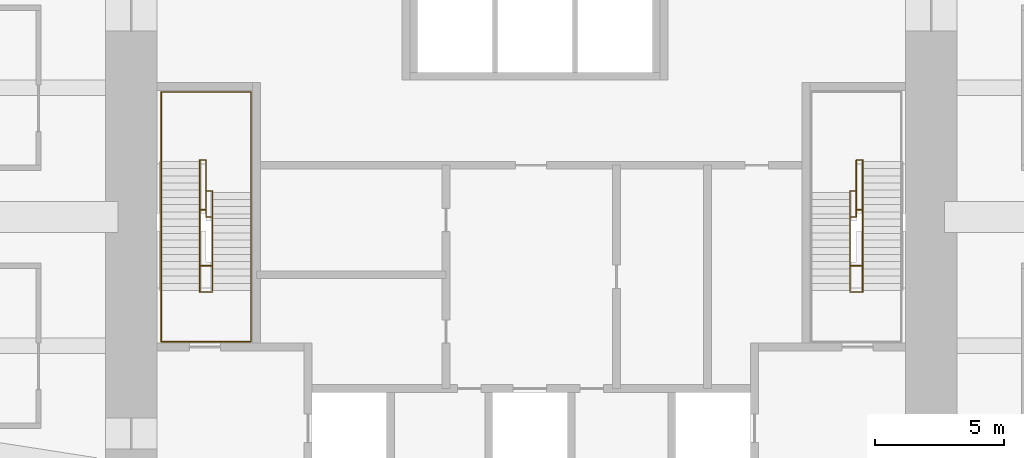
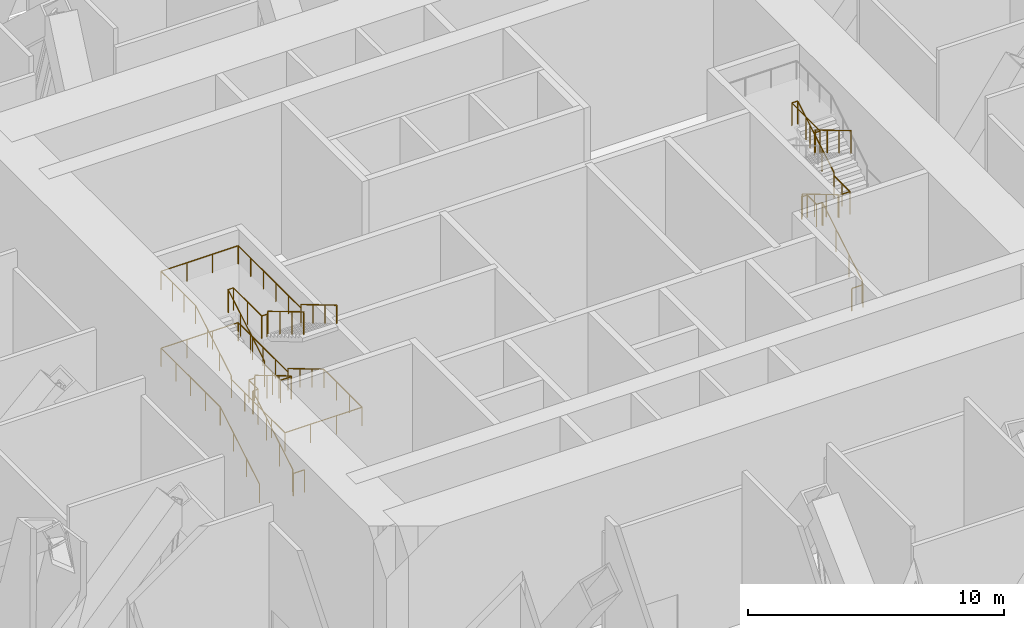
# One storey, part 19 of 20: 3 railings.
"""IFC4 building model written with IfcOpenShell, lengths in metres."""

from ifc_helpers import new_model, si_unit, direction, frame, origin, origin_2d, place, context, subcontext, project, spatial, circle, extrude, material, type_object, element, save


model = new_model("IFC4")

# Units and contexts
model_context = context("Model", 3, precision=1e-05, world=origin(), true_north=direction((0.0, 1.0)))
body_context = subcontext(model_context, "Body", "Model", "MODEL_VIEW")
ifc_project = project(units=[si_unit("LENGTHUNIT", "METRE"), si_unit("AREAUNIT", "SQUARE_METRE"), si_unit("VOLUMEUNIT", "CUBIC_METRE"), si_unit("PLANEANGLEUNIT", "RADIAN"), si_unit("MASSUNIT", "GRAM", prefix="KILO")], contexts=[model_context])

# Site, building, storey
site_placement = place(None, origin())
site = spatial("IfcSite", under=ifc_project, at=site_placement, CompositionType="ELEMENT")
building_placement = place(site_placement, origin())
building = spatial("IfcBuilding", under=site, at=building_placement, Name="Khuree Lantern Residences", CompositionType="ELEMENT")
storey_placement = place(building_placement, frame((0.0, 0.0, 99.75)))
storey = spatial("IfcBuildingStorey", under=building, at=storey_placement, Name="L25", CompositionType="ELEMENT", Elevation=99.75)

# Railings
ifc_material = material(Name="Steel S355", Category="steel")
railing_type_1 = type_object("IfcRailingType", Name="STAIR GUARD G1 1100", PredefinedType="GUARDRAIL", material=ifc_material)
railing_1_placement = place(storey_placement, frame((-12.35009765625, -2.909912109375, 0.0)))
element("IfcRailing", 1, at=railing_1_placement, inside=storey, type_object=railing_type_1, Name="Stair ST1 guard", PredefinedType="GUARDRAIL", context=body_context, shape_type="SweptSolid", body=[
    extrude(circle(Radius=0.02392578125, at=origin_2d()), frame((0.0, 0.0, 1.076171875), z_axis=(-1.0, 0.0, 0.0), x_axis=(0.0, -1.0, 0.0)), (0.0, 0.0, 1.0), 0.5),
    extrude(circle(Radius=0.02392578125, at=origin_2d()), frame((-0.5, 0.0, 1.076171875), z_axis=(0.0, 0.286189326841, 0.958173089375), x_axis=(-1.0, 0.0, 0.0)), (0.0, 0.0, 1.0), 0.174072265625),
    extrude(circle(Radius=0.02392578125, at=origin_2d()), frame((-0.5, 0.0498046875, 1.24267578125), z_axis=(0.0, 0.859308565015, 0.511457515432), x_axis=(-1.0, 0.0, 0.0)), (0.0, 0.0, 1.0), 3.58447265625),
    extrude(circle(Radius=0.02392578125, at=origin_2d()), frame((-0.5, 3.1298828125, 3.076171875), z_axis=(0.0, 1.0, 0.0), x_axis=(-1.0, 0.0, 0.0)), (0.0, 0.0, 1.0), 0.050048828125),
    extrude(circle(Radius=0.02392578125, at=origin_2d()), frame((-0.5, 3.179931640625, 3.076171875), z_axis=(1.0, 0.0, 0.0), x_axis=(0.0, 1.0, 0.0)), (0.0, 0.0, 1.0), 0.25),
    extrude(circle(Radius=0.02392578125, at=origin_2d()), frame((-0.25, 3.179931640625, 3.076171875), z_axis=(0.0, 1.0, 0.0), x_axis=(-1.0, 0.0, 0.0)), (0.0, 0.0, 1.0), 0.72998046875),
    extrude(circle(Radius=0.02392578125, at=origin_2d()), frame((-0.25, 3.909912109375, 3.076171875), z_axis=(1.0, 0.0, 0.0), x_axis=(0.0, 1.0, 0.0)), (0.0, 0.0, 1.0), 0.25),
    extrude(circle(Radius=0.02392578125, at=origin_2d()), frame((0.0, 3.909912109375, 3.076171875), z_axis=(0.0, -0.287476536604, 0.957787680492), x_axis=(1.0, 0.0, 0.0)), (0.0, 0.0, 1.0), 0.174072265625),
    extrude(circle(Radius=0.02392578125, at=origin_2d()), frame((0.0, 3.85986328125, 3.24267578125), z_axis=(0.0, -0.859318757487, 0.511440390497), x_axis=(1.0, 0.0, 0.0)), (0.0, 0.0, 1.0), 3.258544921875),
    extrude(circle(Radius=0.02392578125, at=origin_2d()), frame((0.0, 1.059814453125, 4.9091796875), z_axis=(0.0, -1.0, 0.0), x_axis=(1.0, 0.0, 0.0)), (0.0, 0.0, 1.0), 0.0498046875),
    extrude(circle(Radius=0.02392578125, at=origin_2d()), frame((0.0, 1.010009765625, 4.9091796875), z_axis=(-1.0, 0.0, 0.0), x_axis=(0.0, -1.0, 0.0)), (0.0, 0.0, 1.0), 0.5),
    extrude(circle(Radius=0.02392578125, at=origin_2d()), frame((-0.5, 1.010009765625, 4.9091796875), z_axis=(0.0, 1.0, 0.0), x_axis=(-1.0, 0.0, 0.0)), (0.0, 0.0, 1.0), 1.25),
    extrude(circle(Radius=0.02392578125, at=origin_2d()), frame((-0.5, 2.260009765625, 4.9091796875), z_axis=(0.0, 0.0, 1.0), x_axis=(1.0, 0.0, 0.0)), (0.0, 0.0, 1.0), 0.166748046875),
    extrude(circle(Radius=0.02392578125, at=origin_2d()), frame((-0.5, 2.260009765625, 5.076171875), z_axis=(0.0, 0.859266224305, 0.511528646088), x_axis=(-1.0, 0.0, 0.0)), (0.0, 0.0, 1.0), 3.25830078125),
    extrude(circle(Radius=0.02392578125, at=origin_2d()), frame((-0.5, 5.059814453125, 6.74267578125), z_axis=(0.0, 1.0, 0.0), x_axis=(-1.0, 0.0, 0.0)), (0.0, 0.0, 1.0), 0.050048828125),
    extrude(circle(Radius=0.02392578125, at=origin_2d()), frame((-0.5, 5.10986328125, 6.74267578125), z_axis=(1.0, 0.0, 0.0), x_axis=(0.0, 1.0, 0.0)), (0.0, 0.0, 1.0), 0.25),
    extrude(circle(Radius=0.02392578125, at=origin_2d()), frame((-0.25, 5.10986328125, 6.74267578125), z_axis=(0.0, -1.0, 0.0), x_axis=(1.0, 0.0, 0.0)), (0.0, 0.0, 1.0), 2.2099609375),
    extrude(circle(Radius=0.02392578125, at=origin_2d()), frame((-0.25, 2.89990234375, 6.74267578125), z_axis=(1.0, 0.0, 0.0), x_axis=(0.0, 1.0, 0.0)), (0.0, 0.0, 1.0), 0.25),
    extrude(circle(Radius=0.02392578125, at=origin_2d()), frame((0.0, 2.89990234375, 6.74267578125), z_axis=(0.0, -0.287863150583, 0.957671554624), x_axis=(1.0, 0.0, 0.0)), (0.0, 0.0, 1.0), 0.173828125),
    extrude(circle(Radius=0.02392578125, at=origin_2d()), frame((0.0, 2.849853515625, 6.9091796875), z_axis=(0.0, -0.859285828005, 0.511495714342), x_axis=(1.0, 0.0, 0.0)), (0.0, 0.0, 1.0), 3.258544921875),
    extrude(circle(Radius=0.02099609375, at=origin_2d()), origin(), (0.0, 0.0, 1.0), 1.052001953125),
    extrude(circle(Radius=0.02099609375, at=origin_2d()), frame((-0.5, 0.0, 0.0)), (0.0, 0.0, 1.0), 1.052001953125),
    extrude(circle(Radius=0.02099609375, at=origin_2d()), frame((-0.5, 0.0498046875, 0.166748046875)), (0.0, 0.0, 1.0), 1.052001953125),
    extrude(circle(Radius=0.02099609375, at=origin_2d()), frame((-0.5, 1.076416015625, 0.77783203125)), (0.0, 0.0, 1.0), 1.052001953125),
    extrude(circle(Radius=0.02099609375, at=origin_2d()), frame((-0.5, 2.103271484375, 1.388916015625)), (0.0, 0.0, 1.0), 1.052001953125),
    extrude(circle(Radius=0.02099609375, at=origin_2d()), frame((-0.5, 3.1298828125, 2.0)), (0.0, 0.0, 1.0), 1.052001953125),
    extrude(circle(Radius=0.02099609375, at=origin_2d()), frame((-0.5, 3.179931640625, 2.0)), (0.0, 0.0, 1.0), 1.052001953125),
    extrude(circle(Radius=0.02099609375, at=origin_2d()), frame((-0.25, 3.179931640625, 2.0)), (0.0, 0.0, 1.0), 1.052001953125),
    extrude(circle(Radius=0.02099609375, at=origin_2d()), frame((-0.25, 3.909912109375, 2.0)), (0.0, 0.0, 1.0), 1.052001953125),
    extrude(circle(Radius=0.02099609375, at=origin_2d()), frame((0.0, 3.909912109375, 2.0)), (0.0, 0.0, 1.0), 1.052001953125),
    extrude(circle(Radius=0.02099609375, at=origin_2d()), frame((0.0, 3.85986328125, 2.166748046875)), (0.0, 0.0, 1.0), 1.052001953125),
    extrude(circle(Radius=0.02099609375, at=origin_2d()), frame((0.0, 2.926513671875, 2.72216796875)), (0.0, 0.0, 1.0), 1.052001953125),
    extrude(circle(Radius=0.02099609375, at=origin_2d()), frame((0.0, 1.9931640625, 3.27783203125)), (0.0, 0.0, 1.0), 1.052001953125),
    extrude(circle(Radius=0.02099609375, at=origin_2d()), frame((0.0, 1.059814453125, 3.833251953125)), (0.0, 0.0, 1.0), 1.052001953125),
    extrude(circle(Radius=0.02099609375, at=origin_2d()), frame((0.0, 1.010009765625, 3.833251953125)), (0.0, 0.0, 1.0), 1.052001953125),
    extrude(circle(Radius=0.02099609375, at=origin_2d()), frame((-0.5, 1.010009765625, 3.833251953125)), (0.0, 0.0, 1.0), 1.052001953125),
    extrude(circle(Radius=0.02099609375, at=origin_2d()), frame((-0.5, 1.635009765625, 3.833251953125)), (0.0, 0.0, 1.0), 1.052001953125),
    extrude(circle(Radius=0.02099609375, at=origin_2d()), frame((-0.5, 2.260009765625, 3.833251953125)), (0.0, 0.0, 1.0), 1.052001953125),
    extrude(circle(Radius=0.02099609375, at=origin_2d()), frame((-0.5, 2.260009765625, 4.0)), (0.0, 0.0, 1.0), 1.052001953125),
    extrude(circle(Radius=0.02099609375, at=origin_2d()), frame((-0.5, 3.193359375, 4.5556640625)), (0.0, 0.0, 1.0), 1.052001953125),
    extrude(circle(Radius=0.02099609375, at=origin_2d()), frame((-0.5, 4.12646484375, 5.111083984375)), (0.0, 0.0, 1.0), 1.052001953125),
    extrude(circle(Radius=0.02099609375, at=origin_2d()), frame((-0.5, 5.059814453125, 5.666748046875)), (0.0, 0.0, 1.0), 1.052001953125),
    extrude(circle(Radius=0.02099609375, at=origin_2d()), frame((-0.5, 5.10986328125, 5.666748046875)), (0.0, 0.0, 1.0), 1.052001953125),
    extrude(circle(Radius=0.02099609375, at=origin_2d()), frame((-0.25, 5.10986328125, 5.666748046875)), (0.0, 0.0, 1.0), 1.052001953125),
    extrude(circle(Radius=0.02099609375, at=origin_2d()), frame((-0.25, 4.0048828125, 5.666748046875)), (0.0, 0.0, 1.0), 1.052001953125),
    extrude(circle(Radius=0.02099609375, at=origin_2d()), frame((-0.25, 2.89990234375, 5.666748046875)), (0.0, 0.0, 1.0), 1.052001953125),
    extrude(circle(Radius=0.02099609375, at=origin_2d()), frame((0.0, 2.89990234375, 5.666748046875)), (0.0, 0.0, 1.0), 1.052001953125),
    extrude(circle(Radius=0.02099609375, at=origin_2d()), frame((0.0, 2.849853515625, 5.833251953125)), (0.0, 0.0, 1.0), 1.052001953125),
    extrude(circle(Radius=0.02099609375, at=origin_2d()), frame((0.0, 1.91650390625, 6.388916015625)), (0.0, 0.0, 1.0), 1.052001953125),
    extrude(circle(Radius=0.02099609375, at=origin_2d()), frame((0.0, 0.983154296875, 6.9443359375)), (0.0, 0.0, 1.0), 1.052001953125),
    extrude(circle(Radius=0.02099609375, at=origin_2d()), frame((0.0, 0.0498046875, 7.5)), (0.0, 0.0, 1.0), 1.052001953125),
])
railing_2_placement = place(storey_placement, frame((12.35009765625, -2.909912109375, 0.0)))
element("IfcRailing", 2, at=railing_2_placement, inside=storey, type_object=railing_type_1, Name="Stair ST2 guard", PredefinedType="GUARDRAIL", context=body_context, shape_type="SweptSolid", body=[
    extrude(circle(Radius=0.02392578125, at=origin_2d()), frame((0.0, 0.0, 1.076171875), z_axis=(1.0, 0.0, 0.0), x_axis=(0.0, 1.0, 0.0)), (0.0, 0.0, 1.0), 0.5),
    extrude(circle(Radius=0.02392578125, at=origin_2d()), frame((0.5, 0.0, 1.076171875), z_axis=(0.0, 0.286189326841, 0.958173089375), x_axis=(-1.0, 0.0, 0.0)), (0.0, 0.0, 1.0), 0.174072265625),
    extrude(circle(Radius=0.02392578125, at=origin_2d()), frame((0.5, 0.0498046875, 1.24267578125), z_axis=(0.0, 0.859308565015, 0.511457515432), x_axis=(-1.0, 0.0, 0.0)), (0.0, 0.0, 1.0), 3.58447265625),
    extrude(circle(Radius=0.02392578125, at=origin_2d()), frame((0.5, 3.1298828125, 3.076171875), z_axis=(0.0, 1.0, 0.0), x_axis=(-1.0, 0.0, 0.0)), (0.0, 0.0, 1.0), 0.050048828125),
    extrude(circle(Radius=0.02392578125, at=origin_2d()), frame((0.5, 3.179931640625, 3.076171875), z_axis=(-1.0, 0.0, 0.0), x_axis=(0.0, -1.0, 0.0)), (0.0, 0.0, 1.0), 0.25),
    extrude(circle(Radius=0.02392578125, at=origin_2d()), frame((0.25, 3.179931640625, 3.076171875), z_axis=(0.0, 1.0, 0.0), x_axis=(-1.0, 0.0, 0.0)), (0.0, 0.0, 1.0), 0.72998046875),
    extrude(circle(Radius=0.02392578125, at=origin_2d()), frame((0.25, 3.909912109375, 3.076171875), z_axis=(-1.0, 0.0, 0.0), x_axis=(0.0, -1.0, 0.0)), (0.0, 0.0, 1.0), 0.25),
    extrude(circle(Radius=0.02392578125, at=origin_2d()), frame((0.0, 3.909912109375, 3.076171875), z_axis=(0.0, -0.287476536604, 0.957787680492), x_axis=(1.0, 0.0, 0.0)), (0.0, 0.0, 1.0), 0.174072265625),
    extrude(circle(Radius=0.02392578125, at=origin_2d()), frame((0.0, 3.85986328125, 3.24267578125), z_axis=(0.0, -0.859318757487, 0.511440390497), x_axis=(1.0, 0.0, 0.0)), (0.0, 0.0, 1.0), 3.258544921875),
    extrude(circle(Radius=0.02392578125, at=origin_2d()), frame((0.0, 1.059814453125, 4.9091796875), z_axis=(0.0, -1.0, 0.0), x_axis=(1.0, 0.0, 0.0)), (0.0, 0.0, 1.0), 0.0498046875),
    extrude(circle(Radius=0.02392578125, at=origin_2d()), frame((0.0, 1.010009765625, 4.9091796875), z_axis=(1.0, 0.0, 0.0), x_axis=(0.0, 1.0, 0.0)), (0.0, 0.0, 1.0), 0.5),
    extrude(circle(Radius=0.02392578125, at=origin_2d()), frame((0.5, 1.010009765625, 4.9091796875), z_axis=(0.0, 1.0, 0.0), x_axis=(-1.0, 0.0, 0.0)), (0.0, 0.0, 1.0), 1.25),
    extrude(circle(Radius=0.02392578125, at=origin_2d()), frame((0.5, 2.260009765625, 4.9091796875), z_axis=(0.0, 0.0, 1.0), x_axis=(1.0, 0.0, 0.0)), (0.0, 0.0, 1.0), 0.166748046875),
    extrude(circle(Radius=0.02392578125, at=origin_2d()), frame((0.5, 2.260009765625, 5.076171875), z_axis=(0.0, 0.859266224305, 0.511528646088), x_axis=(-1.0, 0.0, 0.0)), (0.0, 0.0, 1.0), 3.25830078125),
    extrude(circle(Radius=0.02392578125, at=origin_2d()), frame((0.5, 5.059814453125, 6.74267578125), z_axis=(0.0, 1.0, 0.0), x_axis=(-1.0, 0.0, 0.0)), (0.0, 0.0, 1.0), 0.050048828125),
    extrude(circle(Radius=0.02392578125, at=origin_2d()), frame((0.5, 5.10986328125, 6.74267578125), z_axis=(-1.0, 0.0, 0.0), x_axis=(0.0, -1.0, 0.0)), (0.0, 0.0, 1.0), 0.25),
    extrude(circle(Radius=0.02392578125, at=origin_2d()), frame((0.25, 5.10986328125, 6.74267578125), z_axis=(0.0, -1.0, 0.0), x_axis=(1.0, 0.0, 0.0)), (0.0, 0.0, 1.0), 2.2099609375),
    extrude(circle(Radius=0.02392578125, at=origin_2d()), frame((0.25, 2.89990234375, 6.74267578125), z_axis=(-1.0, 0.0, 0.0), x_axis=(0.0, -1.0, 0.0)), (0.0, 0.0, 1.0), 0.25),
    extrude(circle(Radius=0.02392578125, at=origin_2d()), frame((0.0, 2.89990234375, 6.74267578125), z_axis=(0.0, -0.287863150583, 0.957671554624), x_axis=(1.0, 0.0, 0.0)), (0.0, 0.0, 1.0), 0.173828125),
    extrude(circle(Radius=0.02392578125, at=origin_2d()), frame((0.0, 2.849853515625, 6.9091796875), z_axis=(0.0, -0.859285828005, 0.511495714342), x_axis=(1.0, 0.0, 0.0)), (0.0, 0.0, 1.0), 3.258544921875),
    extrude(circle(Radius=0.02099609375, at=origin_2d()), origin(), (0.0, 0.0, 1.0), 1.052001953125),
    extrude(circle(Radius=0.02099609375, at=origin_2d()), frame((0.5, 0.0, 0.0)), (0.0, 0.0, 1.0), 1.052001953125),
    extrude(circle(Radius=0.02099609375, at=origin_2d()), frame((0.5, 0.0498046875, 0.166748046875)), (0.0, 0.0, 1.0), 1.052001953125),
    extrude(circle(Radius=0.02099609375, at=origin_2d()), frame((0.5, 1.076416015625, 0.77783203125)), (0.0, 0.0, 1.0), 1.052001953125),
    extrude(circle(Radius=0.02099609375, at=origin_2d()), frame((0.5, 2.103271484375, 1.388916015625)), (0.0, 0.0, 1.0), 1.052001953125),
    extrude(circle(Radius=0.02099609375, at=origin_2d()), frame((0.5, 3.1298828125, 2.0)), (0.0, 0.0, 1.0), 1.052001953125),
    extrude(circle(Radius=0.02099609375, at=origin_2d()), frame((0.5, 3.179931640625, 2.0)), (0.0, 0.0, 1.0), 1.052001953125),
    extrude(circle(Radius=0.02099609375, at=origin_2d()), frame((0.25, 3.179931640625, 2.0)), (0.0, 0.0, 1.0), 1.052001953125),
    extrude(circle(Radius=0.02099609375, at=origin_2d()), frame((0.25, 3.909912109375, 2.0)), (0.0, 0.0, 1.0), 1.052001953125),
    extrude(circle(Radius=0.02099609375, at=origin_2d()), frame((0.0, 3.909912109375, 2.0)), (0.0, 0.0, 1.0), 1.052001953125),
    extrude(circle(Radius=0.02099609375, at=origin_2d()), frame((0.0, 3.85986328125, 2.166748046875)), (0.0, 0.0, 1.0), 1.052001953125),
    extrude(circle(Radius=0.02099609375, at=origin_2d()), frame((0.0, 2.926513671875, 2.72216796875)), (0.0, 0.0, 1.0), 1.052001953125),
    extrude(circle(Radius=0.02099609375, at=origin_2d()), frame((0.0, 1.9931640625, 3.27783203125)), (0.0, 0.0, 1.0), 1.052001953125),
    extrude(circle(Radius=0.02099609375, at=origin_2d()), frame((0.0, 1.059814453125, 3.833251953125)), (0.0, 0.0, 1.0), 1.052001953125),
    extrude(circle(Radius=0.02099609375, at=origin_2d()), frame((0.0, 1.010009765625, 3.833251953125)), (0.0, 0.0, 1.0), 1.052001953125),
    extrude(circle(Radius=0.02099609375, at=origin_2d()), frame((0.5, 1.010009765625, 3.833251953125)), (0.0, 0.0, 1.0), 1.052001953125),
    extrude(circle(Radius=0.02099609375, at=origin_2d()), frame((0.5, 1.635009765625, 3.833251953125)), (0.0, 0.0, 1.0), 1.052001953125),
    extrude(circle(Radius=0.02099609375, at=origin_2d()), frame((0.5, 2.260009765625, 3.833251953125)), (0.0, 0.0, 1.0), 1.052001953125),
    extrude(circle(Radius=0.02099609375, at=origin_2d()), frame((0.5, 2.260009765625, 4.0)), (0.0, 0.0, 1.0), 1.052001953125),
    extrude(circle(Radius=0.02099609375, at=origin_2d()), frame((0.5, 3.193359375, 4.5556640625)), (0.0, 0.0, 1.0), 1.052001953125),
    extrude(circle(Radius=0.02099609375, at=origin_2d()), frame((0.5, 4.12646484375, 5.111083984375)), (0.0, 0.0, 1.0), 1.052001953125),
    extrude(circle(Radius=0.02099609375, at=origin_2d()), frame((0.5, 5.059814453125, 5.666748046875)), (0.0, 0.0, 1.0), 1.052001953125),
    extrude(circle(Radius=0.02099609375, at=origin_2d()), frame((0.5, 5.10986328125, 5.666748046875)), (0.0, 0.0, 1.0), 1.052001953125),
    extrude(circle(Radius=0.02099609375, at=origin_2d()), frame((0.25, 5.10986328125, 5.666748046875)), (0.0, 0.0, 1.0), 1.052001953125),
    extrude(circle(Radius=0.02099609375, at=origin_2d()), frame((0.25, 4.0048828125, 5.666748046875)), (0.0, 0.0, 1.0), 1.052001953125),
    extrude(circle(Radius=0.02099609375, at=origin_2d()), frame((0.25, 2.89990234375, 5.666748046875)), (0.0, 0.0, 1.0), 1.052001953125),
    extrude(circle(Radius=0.02099609375, at=origin_2d()), frame((0.0, 2.89990234375, 5.666748046875)), (0.0, 0.0, 1.0), 1.052001953125),
    extrude(circle(Radius=0.02099609375, at=origin_2d()), frame((0.0, 2.849853515625, 5.833251953125)), (0.0, 0.0, 1.0), 1.052001953125),
    extrude(circle(Radius=0.02099609375, at=origin_2d()), frame((0.0, 1.91650390625, 6.388916015625)), (0.0, 0.0, 1.0), 1.052001953125),
    extrude(circle(Radius=0.02099609375, at=origin_2d()), frame((0.0, 0.983154296875, 6.9443359375)), (0.0, 0.0, 1.0), 1.052001953125),
    extrude(circle(Radius=0.02099609375, at=origin_2d()), frame((0.0, 0.0498046875, 7.5)), (0.0, 0.0, 1.0), 1.052001953125),
])
railing_type_2 = type_object("IfcRailingType", Name="STAIR HANDRAIL H1 900", PredefinedType="HANDRAIL", material=ifc_material)
railing_3_placement = place(storey_placement, frame((-14.340087890625, -2.860107421875, 0.166748046875)))
element("IfcRailing", 3, at=railing_3_placement, inside=storey, type_object=railing_type_2, Name="Stair ST1 handrail", PredefinedType="HANDRAIL", context=body_context, shape_type="SweptSolid", body=[
    extrude(circle(Radius=0.02392578125, at=origin_2d()), frame((0.0, 0.0, 0.8759765625), z_axis=(0.0, 0.859308565015, 0.511457515432), x_axis=(-1.0, 0.0, 0.0)), (0.0, 0.0, 1.0), 3.58447265625),
    extrude(circle(Radius=0.02392578125, at=origin_2d()), frame((0.0, 3.080078125, 2.708984375), z_axis=(0.0, 1.0, 0.0), x_axis=(-1.0, 0.0, 0.0)), (0.0, 0.0, 1.0), 4.6201171875),
    extrude(circle(Radius=0.02392578125, at=origin_2d()), frame((0.0, 7.7001953125, 2.708984375), z_axis=(1.0, 0.0, 0.0), x_axis=(0.0, 1.0, 0.0)), (0.0, 0.0, 1.0), 3.47998046875),
    extrude(circle(Radius=0.02392578125, at=origin_2d()), frame((3.47998046875, 7.7001953125, 2.708984375), z_axis=(0.0, -1.0, 0.0), x_axis=(1.0, 0.0, 0.0)), (0.0, 0.0, 1.0), 3.89013671875),
    extrude(circle(Radius=0.02392578125, at=origin_2d()), frame((3.47998046875, 3.81005859375, 2.708984375), z_axis=(0.0, 0.0, 1.0), x_axis=(1.0, 0.0, 0.0)), (0.0, 0.0, 1.0), 0.166748046875),
    extrude(circle(Radius=0.02392578125, at=origin_2d()), frame((3.47998046875, 3.81005859375, 2.8759765625), z_axis=(0.0, -0.859318757487, 0.511440390497), x_axis=(1.0, 0.0, 0.0)), (0.0, 0.0, 1.0), 3.258544921875),
    extrude(circle(Radius=0.02392578125, at=origin_2d()), frame((3.47998046875, 1.010009765625, 4.54248046875), z_axis=(0.0, -1.0, 0.0), x_axis=(1.0, 0.0, 0.0)), (0.0, 0.0, 1.0), 2.989990234375),
    extrude(circle(Radius=0.02392578125, at=origin_2d()), frame((3.47998046875, -1.97998046875, 4.54248046875), z_axis=(-1.0, 0.0, 0.0), x_axis=(0.0, -1.0, 0.0)), (0.0, 0.0, 1.0), 3.47998046875),
    extrude(circle(Radius=0.02392578125, at=origin_2d()), frame((0.0, -1.97998046875, 4.54248046875), z_axis=(0.0, 1.0, 0.0), x_axis=(-1.0, 0.0, 0.0)), (0.0, 0.0, 1.0), 4.190185546875),
    extrude(circle(Radius=0.02392578125, at=origin_2d()), frame((0.0, 2.210205078125, 4.54248046875), z_axis=(0.0, 0.0, 1.0), x_axis=(1.0, 0.0, 0.0)), (0.0, 0.0, 1.0), 0.166748046875),
    extrude(circle(Radius=0.02392578125, at=origin_2d()), frame((0.0, 2.210205078125, 4.708984375), z_axis=(0.0, 0.859266224305, 0.511528646088), x_axis=(-1.0, 0.0, 0.0)), (0.0, 0.0, 1.0), 3.25830078125),
    extrude(circle(Radius=0.02392578125, at=origin_2d()), frame((0.0, 5.010009765625, 6.3759765625), z_axis=(0.0, 1.0, 0.0), x_axis=(-1.0, 0.0, 0.0)), (0.0, 0.0, 1.0), 2.690185546875),
    extrude(circle(Radius=0.02392578125, at=origin_2d()), frame((0.0, 7.7001953125, 6.3759765625), z_axis=(1.0, 0.0, 0.0), x_axis=(0.0, 1.0, 0.0)), (0.0, 0.0, 1.0), 3.47998046875),
    extrude(circle(Radius=0.02392578125, at=origin_2d()), frame((3.47998046875, 7.7001953125, 6.3759765625), z_axis=(0.0, -1.0, 0.0), x_axis=(1.0, 0.0, 0.0)), (0.0, 0.0, 1.0), 4.900146484375),
    extrude(circle(Radius=0.02392578125, at=origin_2d()), frame((3.47998046875, 2.800048828125, 6.3759765625), z_axis=(0.0, 0.0, 1.0), x_axis=(1.0, 0.0, 0.0)), (0.0, 0.0, 1.0), 0.16650390625),
    extrude(circle(Radius=0.02392578125, at=origin_2d()), frame((3.47998046875, 2.800048828125, 6.54248046875), z_axis=(0.0, -0.859285828005, 0.511495714342), x_axis=(1.0, 0.0, 0.0)), (0.0, 0.0, 1.0), 3.258544921875),
    extrude(circle(Radius=0.02099609375, at=origin_2d()), origin(), (0.0, 0.0, 1.0), 0.851806640625),
    extrude(circle(Radius=0.02099609375, at=origin_2d()), frame((0.0, 1.026611328125, 0.611083984375)), (0.0, 0.0, 1.0), 0.851806640625),
    extrude(circle(Radius=0.02099609375, at=origin_2d()), frame((0.0, 2.053466796875, 1.22216796875)), (0.0, 0.0, 1.0), 0.851806640625),
    extrude(circle(Radius=0.02099609375, at=origin_2d()), frame((0.0, 3.080078125, 1.833251953125)), (0.0, 0.0, 1.0), 0.851806640625),
    extrude(circle(Radius=0.02099609375, at=origin_2d()), frame((0.0, 4.235107421875, 1.833251953125)), (0.0, 0.0, 1.0), 0.851806640625),
    extrude(circle(Radius=0.02099609375, at=origin_2d()), frame((0.0, 5.39013671875, 1.833251953125)), (0.0, 0.0, 1.0), 0.851806640625),
    extrude(circle(Radius=0.02099609375, at=origin_2d()), frame((0.0, 6.545166015625, 1.833251953125)), (0.0, 0.0, 1.0), 0.851806640625),
    extrude(circle(Radius=0.02099609375, at=origin_2d()), frame((0.0, 7.7001953125, 1.833251953125)), (0.0, 0.0, 1.0), 0.851806640625),
    extrude(circle(Radius=0.02099609375, at=origin_2d()), frame((1.159912109375, 7.7001953125, 1.833251953125)), (0.0, 0.0, 1.0), 0.851806640625),
    extrude(circle(Radius=0.02099609375, at=origin_2d()), frame((2.320068359375, 7.7001953125, 1.833251953125)), (0.0, 0.0, 1.0), 0.851806640625),
    extrude(circle(Radius=0.02099609375, at=origin_2d()), frame((3.47998046875, 7.7001953125, 1.833251953125)), (0.0, 0.0, 1.0), 0.851806640625),
    extrude(circle(Radius=0.02099609375, at=origin_2d()), frame((3.47998046875, 6.7275390625, 1.833251953125)), (0.0, 0.0, 1.0), 0.851806640625),
    extrude(circle(Radius=0.02099609375, at=origin_2d()), frame((3.47998046875, 5.755126953125, 1.833251953125)), (0.0, 0.0, 1.0), 0.851806640625),
    extrude(circle(Radius=0.02099609375, at=origin_2d()), frame((3.47998046875, 4.78271484375, 1.833251953125)), (0.0, 0.0, 1.0), 0.851806640625),
    extrude(circle(Radius=0.02099609375, at=origin_2d()), frame((3.47998046875, 3.81005859375, 1.833251953125)), (0.0, 0.0, 1.0), 0.851806640625),
    extrude(circle(Radius=0.02099609375, at=origin_2d()), frame((3.47998046875, 3.81005859375, 2.0)), (0.0, 0.0, 1.0), 0.851806640625),
    extrude(circle(Radius=0.02099609375, at=origin_2d()), frame((3.47998046875, 2.876708984375, 2.555419921875)), (0.0, 0.0, 1.0), 0.851806640625),
    extrude(circle(Radius=0.02099609375, at=origin_2d()), frame((3.47998046875, 1.943359375, 3.111083984375)), (0.0, 0.0, 1.0), 0.851806640625),
    extrude(circle(Radius=0.02099609375, at=origin_2d()), frame((3.47998046875, 1.010009765625, 3.66650390625)), (0.0, 0.0, 1.0), 0.851806640625),
    extrude(circle(Radius=0.02099609375, at=origin_2d()), frame((3.47998046875, 0.013427734375, 3.66650390625)), (0.0, 0.0, 1.0), 0.851806640625),
    extrude(circle(Radius=0.02099609375, at=origin_2d()), frame((3.47998046875, -0.9833984375, 3.66650390625)), (0.0, 0.0, 1.0), 0.851806640625),
    extrude(circle(Radius=0.02099609375, at=origin_2d()), frame((3.47998046875, -1.97998046875, 3.66650390625)), (0.0, 0.0, 1.0), 0.851806640625),
    extrude(circle(Radius=0.02099609375, at=origin_2d()), frame((2.320068359375, -1.97998046875, 3.66650390625)), (0.0, 0.0, 1.0), 0.851806640625),
    extrude(circle(Radius=0.02099609375, at=origin_2d()), frame((1.159912109375, -1.97998046875, 3.66650390625)), (0.0, 0.0, 1.0), 0.851806640625),
    extrude(circle(Radius=0.02099609375, at=origin_2d()), frame((0.0, -1.97998046875, 3.66650390625)), (0.0, 0.0, 1.0), 0.851806640625),
    extrude(circle(Radius=0.02099609375, at=origin_2d()), frame((0.0, -0.932373046875, 3.66650390625)), (0.0, 0.0, 1.0), 0.851806640625),
    extrude(circle(Radius=0.02099609375, at=origin_2d()), frame((0.0, 0.115234375, 3.66650390625)), (0.0, 0.0, 1.0), 0.851806640625),
    extrude(circle(Radius=0.02099609375, at=origin_2d()), frame((0.0, 1.16259765625, 3.66650390625)), (0.0, 0.0, 1.0), 0.851806640625),
    extrude(circle(Radius=0.02099609375, at=origin_2d()), frame((0.0, 2.210205078125, 3.66650390625)), (0.0, 0.0, 1.0), 0.851806640625),
    extrude(circle(Radius=0.02099609375, at=origin_2d()), frame((0.0, 2.210205078125, 3.833251953125)), (0.0, 0.0, 1.0), 0.851806640625),
    extrude(circle(Radius=0.02099609375, at=origin_2d()), frame((0.0, 3.1435546875, 4.388916015625)), (0.0, 0.0, 1.0), 0.851806640625),
    extrude(circle(Radius=0.02099609375, at=origin_2d()), frame((0.0, 4.07666015625, 4.9443359375)), (0.0, 0.0, 1.0), 0.851806640625),
    extrude(circle(Radius=0.02099609375, at=origin_2d()), frame((0.0, 5.010009765625, 5.5)), (0.0, 0.0, 1.0), 0.851806640625),
    extrude(circle(Radius=0.02099609375, at=origin_2d()), frame((0.0, 5.90673828125, 5.5)), (0.0, 0.0, 1.0), 0.851806640625),
    extrude(circle(Radius=0.02099609375, at=origin_2d()), frame((0.0, 6.803466796875, 5.5)), (0.0, 0.0, 1.0), 0.851806640625),
    extrude(circle(Radius=0.02099609375, at=origin_2d()), frame((0.0, 7.7001953125, 5.5)), (0.0, 0.0, 1.0), 0.851806640625),
    extrude(circle(Radius=0.02099609375, at=origin_2d()), frame((1.159912109375, 7.7001953125, 5.5)), (0.0, 0.0, 1.0), 0.851806640625),
    extrude(circle(Radius=0.02099609375, at=origin_2d()), frame((2.320068359375, 7.7001953125, 5.5)), (0.0, 0.0, 1.0), 0.851806640625),
    extrude(circle(Radius=0.02099609375, at=origin_2d()), frame((3.47998046875, 7.7001953125, 5.5)), (0.0, 0.0, 1.0), 0.851806640625),
    extrude(circle(Radius=0.02099609375, at=origin_2d()), frame((3.47998046875, 6.72021484375, 5.5)), (0.0, 0.0, 1.0), 0.851806640625),
    extrude(circle(Radius=0.02099609375, at=origin_2d()), frame((3.47998046875, 5.740234375, 5.5)), (0.0, 0.0, 1.0), 0.851806640625),
    extrude(circle(Radius=0.02099609375, at=origin_2d()), frame((3.47998046875, 4.760009765625, 5.5)), (0.0, 0.0, 1.0), 0.851806640625),
    extrude(circle(Radius=0.02099609375, at=origin_2d()), frame((3.47998046875, 3.780029296875, 5.5)), (0.0, 0.0, 1.0), 0.851806640625),
    extrude(circle(Radius=0.02099609375, at=origin_2d()), frame((3.47998046875, 2.800048828125, 5.5)), (0.0, 0.0, 1.0), 0.851806640625),
    extrude(circle(Radius=0.02099609375, at=origin_2d()), frame((3.47998046875, 2.800048828125, 5.66650390625)), (0.0, 0.0, 1.0), 0.851806640625),
    extrude(circle(Radius=0.02099609375, at=origin_2d()), frame((3.47998046875, 1.86669921875, 6.22216796875)), (0.0, 0.0, 1.0), 0.851806640625),
    extrude(circle(Radius=0.02099609375, at=origin_2d()), frame((3.47998046875, 0.933349609375, 6.777587890625)), (0.0, 0.0, 1.0), 0.851806640625),
    extrude(circle(Radius=0.02099609375, at=origin_2d()), frame((3.47998046875, 0.0, 7.333251953125)), (0.0, 0.0, 1.0), 0.851806640625),
])

save(model, "model.ifc")
